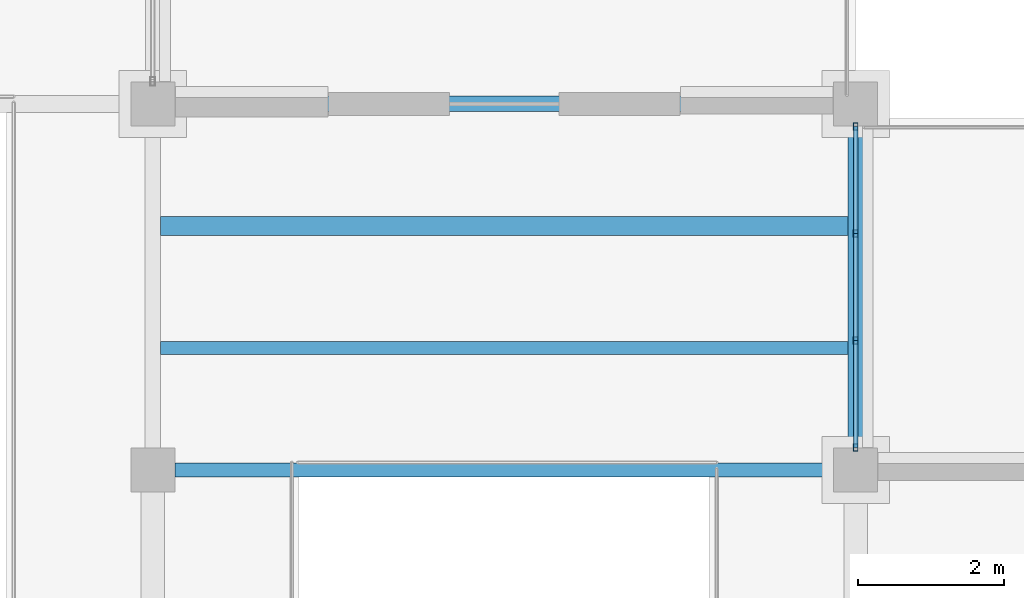
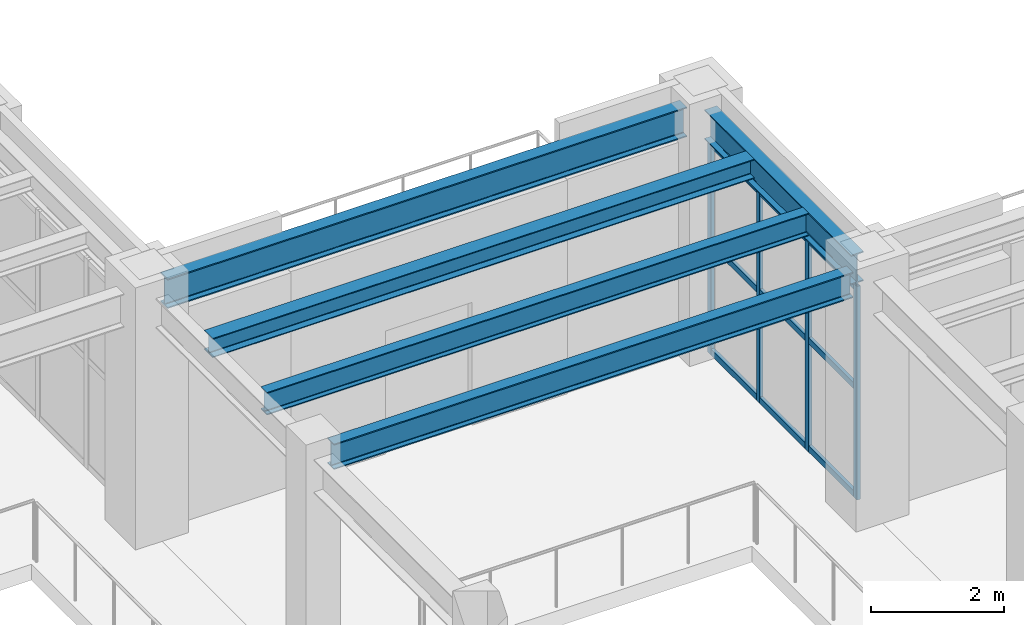
# One storey, part 26 of 83: 13 members, 5 beams, 1 element without a shape of its own.
"""IFC4 building model written with IfcOpenShell, lengths in metres."""

from ifc_helpers import new_model, si_unit, direction, frame, origin, origin_2d, place, context, subcontext, project, spatial, hollow_rectangle, i_section, extrude, material, material_profile, profile_set, type_object, element, aggregate, save


model = new_model("IFC4")

# Units and contexts
model_context = context("Model", 3, precision=1e-05, world=origin(), true_north=direction((0.0, 1.0)))
body_context = subcontext(model_context, "Body", "Model", "MODEL_VIEW")
ifc_project = project(units=[si_unit("LENGTHUNIT", "METRE"), si_unit("AREAUNIT", "SQUARE_METRE"), si_unit("VOLUMEUNIT", "CUBIC_METRE"), si_unit("PLANEANGLEUNIT", "RADIAN"), si_unit("MASSUNIT", "GRAM", prefix="KILO")], contexts=[model_context])

# Site, building, storey
site_placement = place(None, origin())
site = spatial("IfcSite", under=ifc_project, at=site_placement, CompositionType="ELEMENT")
building_placement = place(site_placement, origin())
building = spatial("IfcBuilding", under=site, at=building_placement, Name="Mavantir Sound Aquarium", CompositionType="ELEMENT")
storey_placement = place(building_placement, frame((0.0, 0.0, 10.5)))
storey = spatial("IfcBuildingStorey", under=building, at=storey_placement, Name="L02", CompositionType="ELEMENT", Elevation=10.5)

# Beams
ifc_material_1 = material(Name="Structural Steel ASTM A992 Gr50", Category="steel")
ifc_material_profile_1 = material_profile(ifc_material_1, i_section(OverallWidth=0.25390625, OverallDepth=0.35302734375, WebThickness=0.009521484375, FlangeThickness=0.016357421875, FilletRadius=0.014892578125, at=origin_2d()), Name="W360X91")
ifc_profile_set_1 = profile_set([ifc_material_profile_1], Name="Structural Steel ASTM A992 Gr50")
beam_type_1 = type_object("IfcBeamType", Name="BM-W360X91-I", PredefinedType="JOIST", material=ifc_profile_set_1)
beam_1_placement = place(storey_placement, frame((117.7060546875, 84.13330078125, 4.3095703125), z_axis=(1.0, 0.0, 0.0), x_axis=(0.0, 1.0, 0.0)))
element("IfcBeam", 1, at=beam_1_placement, inside=storey, type_object=beam_type_1, Name="L02 secondary floor joist SJ-36 950", PredefinedType="JOIST", context=body_context, shape_type="SweptSolid", body=[
    extrude(i_section(OverallWidth=0.25390625, OverallDepth=0.35302734375, WebThickness=0.009521484375, FlangeThickness=0.016357421875, FilletRadius=0.014892578125, at=origin_2d()), origin(), (0.0, 0.0, 1.0), 9.387939453125),
])
ifc_material_profile_2 = material_profile(ifc_material_1, i_section(OverallWidth=0.180908203125, OverallDepth=0.4169921875, WebThickness=0.010986328125, FlangeThickness=0.018310546875, FilletRadius=0.014892578125, at=origin_2d()), Name="W410X85")
ifc_profile_set_2 = profile_set([ifc_material_profile_2], Name="Structural Steel ASTM A992 Gr50")
beam_type_2 = type_object("IfcBeamType", Name="BM-W410X85-I", PredefinedType="JOIST", material=ifc_profile_set_2)
beam_2_placement = place(storey_placement, frame((117.7060546875, 82.466796875, 4.277587890625), z_axis=(1.0, 0.0, 0.0), x_axis=(0.0, 1.0, 0.0)))
element("IfcBeam", 2, at=beam_2_placement, inside=storey, type_object=beam_type_2, Name="L02 secondary floor joist SJ-41 949", PredefinedType="JOIST", context=body_context, shape_type="SweptSolid", body=[
    extrude(i_section(OverallWidth=0.180908203125, OverallDepth=0.4169921875, WebThickness=0.010986328125, FlangeThickness=0.018310546875, FilletRadius=0.014892578125, at=origin_2d()), origin(), (0.0, 0.0, 1.0), 9.387939453125),
])
ifc_material_profile_3 = material_profile(ifc_material_1, i_section(OverallWidth=0.194091796875, OverallDepth=0.468994140625, WebThickness=0.0126953125, FlangeThickness=0.0205078125, FilletRadius=0.01611328125, at=origin_2d()), Name="W460X106")
ifc_profile_set_3 = profile_set([ifc_material_profile_3], Name="Structural Steel ASTM A992 Gr50")
beam_type_3 = type_object("IfcBeamType", Name="BM-W460X106-I", PredefinedType="BEAM", material=ifc_profile_set_3)
beam_3_placement = place(storey_placement, frame((117.89990234375, 80.800048828125, 4.25146484375), z_axis=(1.0, 0.0, 0.0), x_axis=(0.0, 1.0, 0.0)))
element("IfcBeam", 3, at=beam_3_placement, inside=storey, type_object=beam_type_3, Name="L02 primary beam SB-46 1547", PredefinedType="BEAM", context=body_context, shape_type="SweptSolid", body=[
    extrude(i_section(OverallWidth=0.194091796875, OverallDepth=0.468994140625, WebThickness=0.0126953125, FlangeThickness=0.0205078125, FilletRadius=0.01611328125, at=origin_2d()), origin(), (0.0, 0.0, 1.0), 9.0),
])
ifc_material_profile_4 = material_profile(ifc_material_1, i_section(OverallWidth=0.2119140625, OverallDepth=0.5439453125, WebThickness=0.01318359375, FlangeThickness=0.021240234375, FilletRadius=0.01806640625, at=origin_2d()), Name="W530X123")
ifc_profile_set_4 = profile_set([ifc_material_profile_4], Name="Structural Steel ASTM A992 Gr50")
beam_type_4 = type_object("IfcBeamType", Name="BM-W530X123-I", PredefinedType="BEAM", material=ifc_profile_set_4)
beam_4_placement = place(storey_placement, frame((117.89990234375, 85.800048828125, 4.214111328125), z_axis=(1.0, 0.0, 0.0), x_axis=(0.0, 1.0, 0.0)))
element("IfcBeam", 4, at=beam_4_placement, inside=storey, type_object=beam_type_4, Name="L02 primary beam SB-53 1550", PredefinedType="BEAM", context=body_context, shape_type="SweptSolid", body=[
    extrude(i_section(OverallWidth=0.2119140625, OverallDepth=0.5439453125, WebThickness=0.01318359375, FlangeThickness=0.021240234375, FilletRadius=0.01806640625, at=origin_2d()), origin(), (0.0, 0.0, 1.0), 9.0),
])
beam_5_placement = place(storey_placement, frame((127.199951171875, 81.10009765625, 4.214111328125), z_axis=(0.0, 1.0, 0.0), x_axis=(-1.0, 0.0, 0.0)))
element("IfcBeam", 5, at=beam_5_placement, inside=storey, type_object=beam_type_4, Name="L02 primary girder SB-53 1577", PredefinedType="BEAM", context=body_context, shape_type="SweptSolid", body=[
    extrude(i_section(OverallWidth=0.2119140625, OverallDepth=0.5439453125, WebThickness=0.01318359375, FlangeThickness=0.021240234375, FilletRadius=0.01806640625, at=origin_2d()), origin(), (0.0, 0.0, 1.0), 4.39990234375),
])

# Curtain wall, members
ifc_material_2 = material(Name="Anodised Marine Aluminium and Low-E Glass", Category="aluminium")
curtain_wall_type = type_object("IfcCurtainWallType", Name="CW-T11", PredefinedType="USERDEFINED", material=ifc_material_2)
curtain_wall_placement = place(storey_placement, origin())
curtain_wall = element("IfcCurtainWall", 6, at=curtain_wall_placement, inside=storey, type_object=curtain_wall_type, Name="L02 unitised curtain wall CW-11 131", ObjectType="UNITISED GLAZING", PredefinedType="USERDEFINED")
ifc_material_3 = material(Name="Anodised Marine Aluminium 6063-T6", Category="aluminium")
ifc_material_profile_5 = material_profile(ifc_material_3, hollow_rectangle(XDim=0.06005859375, YDim=0.10009765625, WallThickness=0.00390625, at=origin_2d()), Name="ALU-MULLION-100X60")
ifc_profile_set_5 = profile_set([ifc_material_profile_5], Name="Anodised Marine Aluminium 6063-T6")
member_type_1 = type_object("IfcMemberType", Name="CW-MUL-100", PredefinedType="MULLION", material=ifc_profile_set_5)
member_1_placement = place(storey_placement, frame((127.199951171875, 81.10791015625, 0.0), z_axis=(0.0, 0.0, 1.0), x_axis=(1.0, 0.0, 0.0)))
member_1 = element("IfcMember", 7, at=member_1_placement, type_object=member_type_1, Name="CW-L02-131 vertical mullion 1", PredefinedType="MULLION", context=body_context, shape_type="SweptSolid", body=[
    extrude(hollow_rectangle(XDim=0.06005859375, YDim=0.10009765625, WallThickness=0.00390625, at=origin_2d()), origin(), (0.0, 0.0, 1.0), 3.912109375),
])
member_2_placement = place(storey_placement, frame((127.199951171875, 82.5693359375, 0.0), z_axis=(0.0, 0.0, 1.0), x_axis=(1.0, 0.0, 0.0)))
member_2 = element("IfcMember", 8, at=member_2_placement, type_object=member_type_1, Name="CW-L02-131 vertical mullion 2", PredefinedType="MULLION", context=body_context, shape_type="SweptSolid", body=[
    extrude(hollow_rectangle(XDim=0.06005859375, YDim=0.10009765625, WallThickness=0.00390625, at=origin_2d()), origin(), (0.0, 0.0, 1.0), 3.912109375),
])
member_3_placement = place(storey_placement, frame((127.199951171875, 84.03076171875, 0.0), z_axis=(0.0, 0.0, 1.0), x_axis=(1.0, 0.0, 0.0)))
member_3 = element("IfcMember", 9, at=member_3_placement, type_object=member_type_1, Name="CW-L02-131 vertical mullion 3", PredefinedType="MULLION", context=body_context, shape_type="SweptSolid", body=[
    extrude(hollow_rectangle(XDim=0.06005859375, YDim=0.10009765625, WallThickness=0.00390625, at=origin_2d()), origin(), (0.0, 0.0, 1.0), 3.912109375),
])
member_4_placement = place(storey_placement, frame((127.199951171875, 85.491943359375, 0.0), z_axis=(0.0, 0.0, 1.0), x_axis=(1.0, 0.0, 0.0)))
member_4 = element("IfcMember", 10, at=member_4_placement, type_object=member_type_1, Name="CW-L02-131 vertical mullion 4", PredefinedType="MULLION", context=body_context, shape_type="SweptSolid", body=[
    extrude(hollow_rectangle(XDim=0.06005859375, YDim=0.10009765625, WallThickness=0.00390625, at=origin_2d()), origin(), (0.0, 0.0, 1.0), 3.912109375),
])
ifc_material_profile_6 = material_profile(ifc_material_3, hollow_rectangle(XDim=0.06005859375, YDim=0.110107421875, WallThickness=0.00390625, at=origin_2d()), Name="ALU-TRANSOM-110X60")
ifc_profile_set_6 = profile_set([ifc_material_profile_6], Name="Anodised Marine Aluminium 6063-T6")
member_type_2 = type_object("IfcMemberType", Name="CW-TRN-110", PredefinedType="USERDEFINED", material=ifc_profile_set_6)
member_5_placement = place(storey_placement, frame((127.199951171875, 81.10791015625, 0.054931640625), z_axis=(0.0, 1.0, 0.0), x_axis=(-1.0, 0.0, 0.0)))
member_5 = element("IfcMember", 11, at=member_5_placement, type_object=member_type_2, Name="CW-L02-131 transom 1.1", ObjectType="TRANSOM", PredefinedType="USERDEFINED", context=body_context, shape_type="SweptSolid", body=[
    extrude(hollow_rectangle(XDim=0.06005859375, YDim=0.110107421875, WallThickness=0.00390625, at=origin_2d()), origin(), (0.0, 0.0, 1.0), 1.46142578125),
])
member_6_placement = place(storey_placement, frame((127.199951171875, 81.10791015625, 2.0341796875), z_axis=(0.0, 1.0, 0.0), x_axis=(-1.0, 0.0, 0.0)))
member_6 = element("IfcMember", 12, at=member_6_placement, type_object=member_type_2, Name="CW-L02-131 transom 1.2", ObjectType="TRANSOM", PredefinedType="USERDEFINED", context=body_context, shape_type="SweptSolid", body=[
    extrude(hollow_rectangle(XDim=0.06005859375, YDim=0.110107421875, WallThickness=0.00390625, at=origin_2d()), origin(), (0.0, 0.0, 1.0), 1.46142578125),
])
member_7_placement = place(storey_placement, frame((127.199951171875, 81.10791015625, 3.85693359375), z_axis=(0.0, 1.0, 0.0), x_axis=(-1.0, 0.0, 0.0)))
member_7 = element("IfcMember", 13, at=member_7_placement, type_object=member_type_2, Name="CW-L02-131 transom 1.3", ObjectType="TRANSOM", PredefinedType="USERDEFINED", context=body_context, shape_type="SweptSolid", body=[
    extrude(hollow_rectangle(XDim=0.06005859375, YDim=0.110107421875, WallThickness=0.00390625, at=origin_2d()), origin(), (0.0, 0.0, 1.0), 1.46142578125),
])
member_8_placement = place(storey_placement, frame((127.199951171875, 82.5693359375, 0.054931640625), z_axis=(0.0, 1.0, 0.0), x_axis=(-1.0, 0.0, 0.0)))
member_8 = element("IfcMember", 14, at=member_8_placement, type_object=member_type_2, Name="CW-L02-131 transom 2.1", ObjectType="TRANSOM", PredefinedType="USERDEFINED", context=body_context, shape_type="SweptSolid", body=[
    extrude(hollow_rectangle(XDim=0.06005859375, YDim=0.110107421875, WallThickness=0.00390625, at=origin_2d()), origin(), (0.0, 0.0, 1.0), 1.46142578125),
])
member_9_placement = place(storey_placement, frame((127.199951171875, 82.5693359375, 2.0341796875), z_axis=(0.0, 1.0, 0.0), x_axis=(-1.0, 0.0, 0.0)))
member_9 = element("IfcMember", 15, at=member_9_placement, type_object=member_type_2, Name="CW-L02-131 transom 2.2", ObjectType="TRANSOM", PredefinedType="USERDEFINED", context=body_context, shape_type="SweptSolid", body=[
    extrude(hollow_rectangle(XDim=0.06005859375, YDim=0.110107421875, WallThickness=0.00390625, at=origin_2d()), origin(), (0.0, 0.0, 1.0), 1.46142578125),
])
member_10_placement = place(storey_placement, frame((127.199951171875, 82.5693359375, 3.85693359375), z_axis=(0.0, 1.0, 0.0), x_axis=(-1.0, 0.0, 0.0)))
member_10 = element("IfcMember", 16, at=member_10_placement, type_object=member_type_2, Name="CW-L02-131 transom 2.3", ObjectType="TRANSOM", PredefinedType="USERDEFINED", context=body_context, shape_type="SweptSolid", body=[
    extrude(hollow_rectangle(XDim=0.06005859375, YDim=0.110107421875, WallThickness=0.00390625, at=origin_2d()), origin(), (0.0, 0.0, 1.0), 1.46142578125),
])
member_11_placement = place(storey_placement, frame((127.199951171875, 84.03076171875, 0.054931640625), z_axis=(0.0, 1.0, 0.0), x_axis=(-1.0, 0.0, 0.0)))
member_11 = element("IfcMember", 17, at=member_11_placement, type_object=member_type_2, Name="CW-L02-131 transom 3.1", ObjectType="TRANSOM", PredefinedType="USERDEFINED", context=body_context, shape_type="SweptSolid", body=[
    extrude(hollow_rectangle(XDim=0.06005859375, YDim=0.110107421875, WallThickness=0.00390625, at=origin_2d()), origin(), (0.0, 0.0, 1.0), 1.461181640625),
])
member_12_placement = place(storey_placement, frame((127.199951171875, 84.03076171875, 2.0341796875), z_axis=(0.0, 1.0, 0.0), x_axis=(-1.0, 0.0, 0.0)))
member_12 = element("IfcMember", 18, at=member_12_placement, type_object=member_type_2, Name="CW-L02-131 transom 3.2", ObjectType="TRANSOM", PredefinedType="USERDEFINED", context=body_context, shape_type="SweptSolid", body=[
    extrude(hollow_rectangle(XDim=0.06005859375, YDim=0.110107421875, WallThickness=0.00390625, at=origin_2d()), origin(), (0.0, 0.0, 1.0), 1.461181640625),
])
member_13_placement = place(storey_placement, frame((127.199951171875, 84.03076171875, 3.85693359375), z_axis=(0.0, 1.0, 0.0), x_axis=(-1.0, 0.0, 0.0)))
member_13 = element("IfcMember", 19, at=member_13_placement, type_object=member_type_2, Name="CW-L02-131 transom 3.3", ObjectType="TRANSOM", PredefinedType="USERDEFINED", context=body_context, shape_type="SweptSolid", body=[
    extrude(hollow_rectangle(XDim=0.06005859375, YDim=0.110107421875, WallThickness=0.00390625, at=origin_2d()), origin(), (0.0, 0.0, 1.0), 1.461181640625),
])
aggregate(curtain_wall, [member_1, member_2, member_3, member_4, member_5, member_6, member_7, member_8, member_9, member_10, member_11, member_12, member_13])

save(model, "model.ifc")
